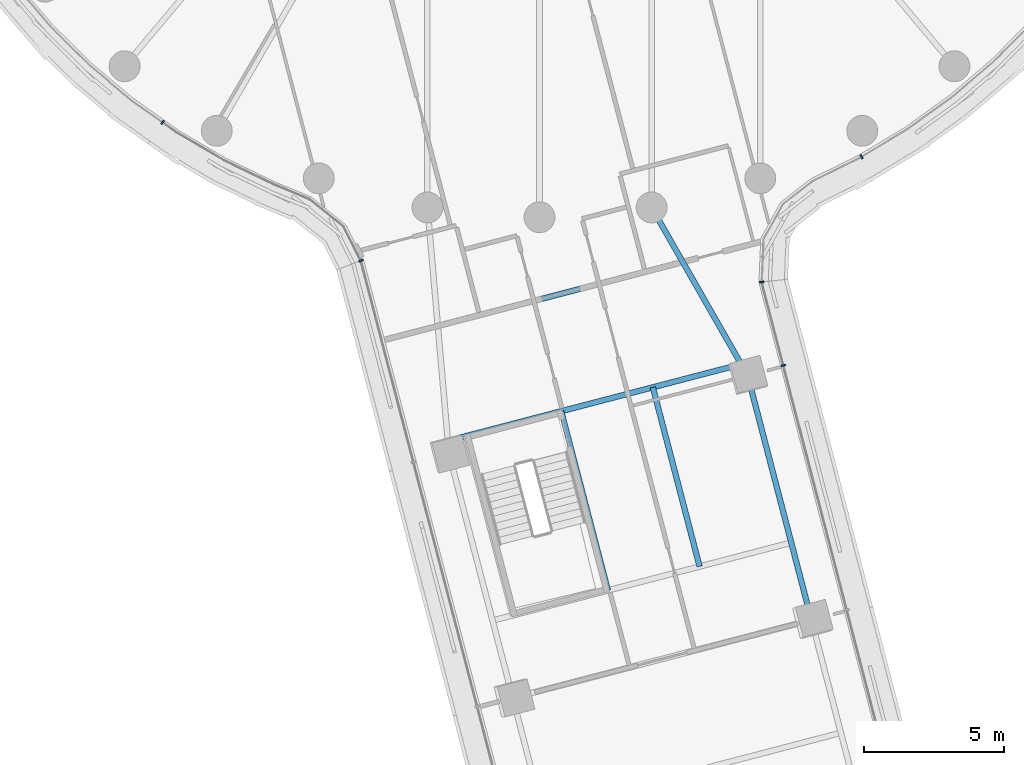
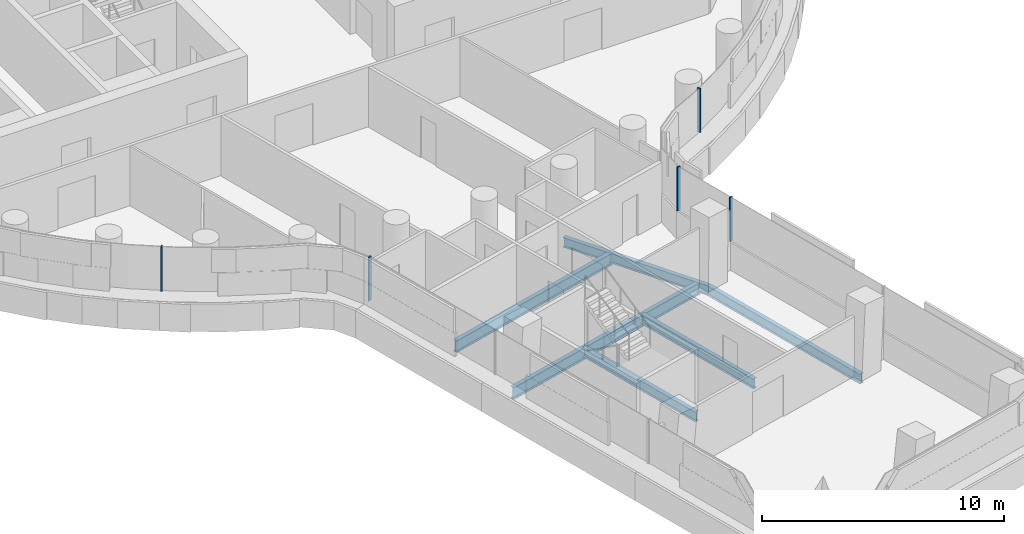
# One storey, part 3 of 30: 6 beams, 5 members, 4 elements without a shape of their own.
"""IFC4 building model written with IfcOpenShell, lengths in metres."""

from ifc_helpers import new_model, si_unit, direction, frame, origin, origin_2d, place, context, subcontext, project, spatial, rectangle, i_section, extrude, material, layer, layer_set, material_profile, profile_set, type_object, element, aggregate, save


model = new_model("IFC4")

# Units and contexts
model_context = context("Model", 3, precision=1e-05, world=origin(), true_north=direction((0.0, 1.0)))
body_context = subcontext(model_context, "Body", "Model", "MODEL_VIEW")
ifc_project = project(units=[si_unit("LENGTHUNIT", "METRE"), si_unit("AREAUNIT", "SQUARE_METRE"), si_unit("VOLUMEUNIT", "CUBIC_METRE"), si_unit("PLANEANGLEUNIT", "RADIAN"), si_unit("MASSUNIT", "GRAM", prefix="KILO")], contexts=[model_context])

# Site, building, storey
site_placement = place(None, origin())
site = spatial("IfcSite", under=ifc_project, at=site_placement, CompositionType="ELEMENT")
building_placement = place(site_placement, origin())
building = spatial("IfcBuilding", under=site, at=building_placement, Name="Tamarind Cross Interchange Tower", CompositionType="ELEMENT")
storey_placement = place(building_placement, frame((0.0, 0.0, 87.25)))
storey = spatial("IfcBuildingStorey", under=building, at=storey_placement, Name="L20", CompositionType="ELEMENT", Elevation=87.25)

# Beams
ifc_material_1 = material(Name="Steel Q355B", Category="steel")
ifc_material_profile_1 = material_profile(ifc_material_1, i_section(OverallWidth=0.198974609375, OverallDepth=0.49609375, WebThickness=0.009033203125, FlangeThickness=0.013916015625, FilletRadius=0.012939453125, at=origin_2d()), Name="HN 496x199x9x14")
ifc_profile_set_1 = profile_set([ifc_material_profile_1], Name="Steel Q355B")
beam_type_1 = type_object("IfcBeamType", Name="Composite beam HN 496x199x9x14 Q355B", PredefinedType="BEAM", material=ifc_profile_set_1)
beam_1_placement = place(storey_placement, frame((9.6904296875, -37.350341796875, -0.387939453125), z_axis=(-0.252524593962, 0.967590476102, 0.0), x_axis=(-0.967590476102, -0.252524593962, 0.0)))
element("IfcBeam", 1, at=beam_1_placement, inside=storey, type_object=beam_type_1, Name="Beam S-edgeep3", PredefinedType="BEAM", context=body_context, shape_type="SweptSolid", body=[
    extrude(i_section(OverallWidth=0.198974609375, OverallDepth=0.49609375, WebThickness=0.009033203125, FlangeThickness=0.013916015625, FilletRadius=0.012939453125, at=origin_2d()), origin(), (0.0, 0.0, 1.0), 9.0),
])
beam_2_placement = place(storey_placement, frame((7.417724609375, -28.64208984375, -0.387939453125), z_axis=(-0.496154178437, 0.86823443333, 0.0), x_axis=(-0.86823443333, -0.496154178437, 0.0)))
element("IfcBeam", 2, at=beam_2_placement, inside=storey, type_object=beam_type_1, Name="Beam S-linkep", PredefinedType="BEAM", context=body_context, shape_type="SweptSolid", body=[
    extrude(i_section(OverallWidth=0.198974609375, OverallDepth=0.49609375, WebThickness=0.009033203125, FlangeThickness=0.013916015625, FilletRadius=0.012939453125, at=origin_2d()), origin(), (0.0, 0.0, 1.0), 6.900634765625),
])
for number, where, z_axis, x_axis, name in (
    (3, (0.77294921875, -29.9111328125, -0.387939453125), (0.252497186791, -0.967597628492, 0.0), (0.967597628492, 0.252497186791, 0.0), "Beam S-tr1"),
    (4, (4.03857421875, -29.058837890625, -0.387939453125), (0.252497186791, -0.967597628492, 0.0), (0.967597628492, 0.252497186791, 0.0), "Beam S-stripp"),
):
    element("IfcBeam", number, at=place(storey_placement, frame(where, z_axis=z_axis, x_axis=x_axis)), inside=storey, type_object=beam_type_1, Name=name, PredefinedType="BEAM", context=body_context, shape_type="SweptSolid", body=[
        extrude(i_section(OverallWidth=0.198974609375, OverallDepth=0.49609375, WebThickness=0.009033203125, FlangeThickness=0.013916015625, FilletRadius=0.012939453125, at=origin_2d()), origin(), (0.0, 0.0, 1.0), 6.60009765625),
    ])
ifc_material_profile_2 = material_profile(ifc_material_1, i_section(OverallWidth=0.199951171875, OverallDepth=0.60009765625, WebThickness=0.010986328125, FlangeThickness=0.01708984375, FilletRadius=0.012939453125, at=origin_2d()), Name="HN 600x200x11x17")
ifc_profile_set_2 = profile_set([ifc_material_profile_2], Name="Steel Q355B")
beam_type_2 = type_object("IfcBeamType", Name="Composite beam HN 600x200x11x17 Q355B", PredefinedType="BEAM", material=ifc_profile_set_2)
beam_3_placement = place(storey_placement, frame((-3.265625, -30.96533203125, -0.43994140625), z_axis=(0.967586063881, 0.252541499528, 0.0), x_axis=(-0.252541499528, 0.967586063881, 0.0)))
element("IfcBeam", 5, at=beam_3_placement, inside=storey, type_object=beam_type_2, Name="Beam S-x298", PredefinedType="BEAM", context=body_context, shape_type="SweptSolid", body=[
    extrude(i_section(OverallWidth=0.199951171875, OverallDepth=0.60009765625, WebThickness=0.010986328125, FlangeThickness=0.01708984375, FilletRadius=0.012939453125, at=origin_2d()), origin(), (0.0, 0.0, 1.0), 10.80224609375),
])
beam_4_placement = place(storey_placement, frame((-3.6240234375, -26.873046875, -0.43994140625), z_axis=(0.967591689799, 0.252519943433, 0.0), x_axis=(-0.252519943433, 0.967591689799, 0.0)))
element("IfcBeam", 6, at=beam_4_placement, inside=storey, type_object=beam_type_2, Name="Beam S-x258", PredefinedType="BEAM", context=body_context, shape_type="SweptSolid", body=[
    extrude(i_section(OverallWidth=0.199951171875, OverallDepth=0.60009765625, WebThickness=0.010986328125, FlangeThickness=0.01708984375, FilletRadius=0.012939453125, at=origin_2d()), origin(), (0.0, 0.0, 1.0), 9.021484375),
])

# Curtain wall, member
ifc_material_2 = material(Name="Aluminium 6063-T6", Category="aluminium")
ifc_layer = layer(ifc_material_2, 0.159912109375)
ifc_layer_set = layer_set([ifc_layer], Name="Aluminium 6063-T6")
curtain_wall_type = type_object("IfcCurtainWallType", Name="Office curtain wall, 9.0 m bays", PredefinedType="NOTDEFINED", material=ifc_layer_set)
curtain_wall_1_placement = place(storey_placement, origin())
curtain_wall_1 = element("IfcCurtainWall", 7, at=curtain_wall_1_placement, inside=storey, type_object=curtain_wall_type, Name="CWS-L20-06", PredefinedType="NOTDEFINED")
ifc_material_profile_3 = material_profile(ifc_material_2, rectangle(XDim=0.06005859375, YDim=0.159912109375, at=origin_2d()), Name="Mullion CW1")
ifc_profile_set_3 = profile_set([ifc_material_profile_3], Name="Aluminium 6063-T6")
member_type = type_object("IfcMemberType", Name="Mullion CW1", PredefinedType="MULLION", material=ifc_profile_set_3)
member_1_placement = place(storey_placement, frame((-13.4326171875, -19.62060546875, 1.39990234375), z_axis=(0.0, 0.0, 1.0), x_axis=(0.816341886298, -0.577568978284, 0.0)))
member_1 = element("IfcMember", 8, at=member_1_placement, type_object=member_type, Name="CWM-L20-06-02", PredefinedType="MULLION", context=body_context, shape_type="SweptSolid", body=[
    extrude(rectangle(XDim=0.06005859375, YDim=0.159912109375, at=origin_2d()), origin(), (0.0, 0.0, 1.0), 2.210205078125),
])
aggregate(curtain_wall_1, [member_1])

curtain_wall_2_placement = place(storey_placement, origin())
curtain_wall_2 = element("IfcCurtainWall", 9, at=curtain_wall_2_placement, inside=storey, type_object=curtain_wall_type, Name="CWS-L20-07", PredefinedType="NOTDEFINED")
member_2_placement = place(storey_placement, frame((-6.363525390625, -24.545166015625, 1.39990234375), z_axis=(0.0, 0.0, 1.0), x_axis=(0.354566319306, -0.935030868589, 0.0)))
member_2 = element("IfcMember", 10, at=member_2_placement, type_object=member_type, Name="CWM-L20-07-00", PredefinedType="MULLION", context=body_context, shape_type="SweptSolid", body=[
    extrude(rectangle(XDim=0.06005859375, YDim=0.159912109375, at=origin_2d()), origin(), (0.0, 0.0, 1.0), 2.210205078125),
])
aggregate(curtain_wall_2, [member_2])

curtain_wall_3_placement = place(storey_placement, origin())
curtain_wall_3 = element("IfcCurtainWall", 11, at=curtain_wall_3_placement, inside=storey, type_object=curtain_wall_type, Name="CWS-L20-09", PredefinedType="NOTDEFINED")
member_3_placement = place(storey_placement, frame((8.689453125, -28.279541015625, 1.39990234375), z_axis=(0.0, 0.0, 1.0), x_axis=(-0.251267008723, 0.967917811763, 0.0)))
member_3 = element("IfcMember", 12, at=member_3_placement, type_object=member_type, Name="CWM-L20-09-02", PredefinedType="MULLION", context=body_context, shape_type="SweptSolid", body=[
    extrude(rectangle(XDim=0.06005859375, YDim=0.159912109375, at=origin_2d()), origin(), (0.0, 0.0, 1.0), 2.210205078125),
])
aggregate(curtain_wall_3, [member_3])

# Curtain wall, members
curtain_wall_4_placement = place(storey_placement, origin())
curtain_wall_4 = element("IfcCurtainWall", 13, at=curtain_wall_4_placement, inside=storey, type_object=curtain_wall_type, Name="CWS-L20-10", PredefinedType="NOTDEFINED")
member_4_placement = place(storey_placement, frame((7.91748046875, -25.305908203125, 1.39990234375), z_axis=(0.0, 0.0, 1.0), x_axis=(-0.105306236533, 0.994439840587, 0.0)))
member_4 = element("IfcMember", 14, at=member_4_placement, type_object=member_type, Name="CWM-L20-10-00", PredefinedType="MULLION", context=body_context, shape_type="SweptSolid", body=[
    extrude(rectangle(XDim=0.06005859375, YDim=0.159912109375, at=origin_2d()), origin(), (0.0, 0.0, 1.0), 2.210205078125),
])
member_5_placement = place(storey_placement, frame((11.475341796875, -20.8427734375, 1.39990234375), z_axis=(0.0, 0.0, 1.0), x_axis=(0.856843065292, 0.515577308909, 0.0)))
member_5 = element("IfcMember", 15, at=member_5_placement, type_object=member_type, Name="CWM-L20-10-01", PredefinedType="MULLION", context=body_context, shape_type="SweptSolid", body=[
    extrude(rectangle(XDim=0.06005859375, YDim=0.159912109375, at=origin_2d()), origin(), (0.0, 0.0, 1.0), 2.210205078125),
])
aggregate(curtain_wall_4, [member_4, member_5])

save(model, "model.ifc")
